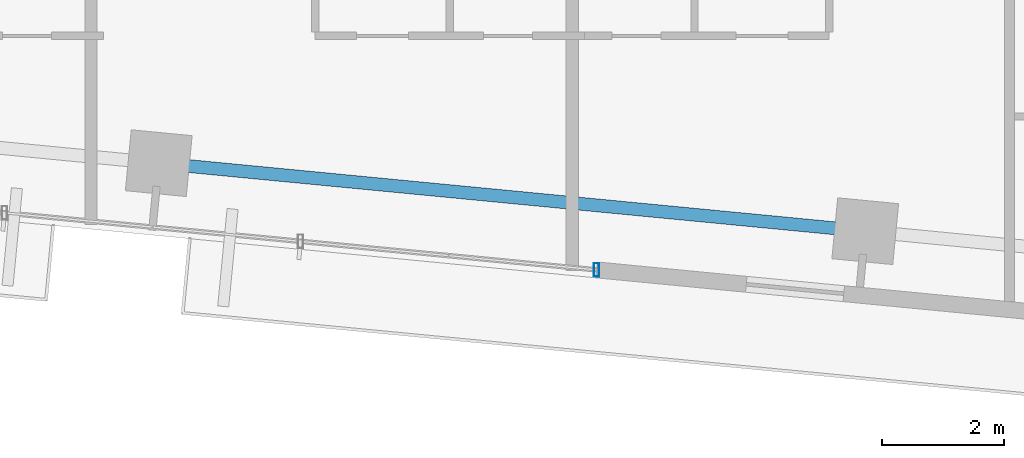
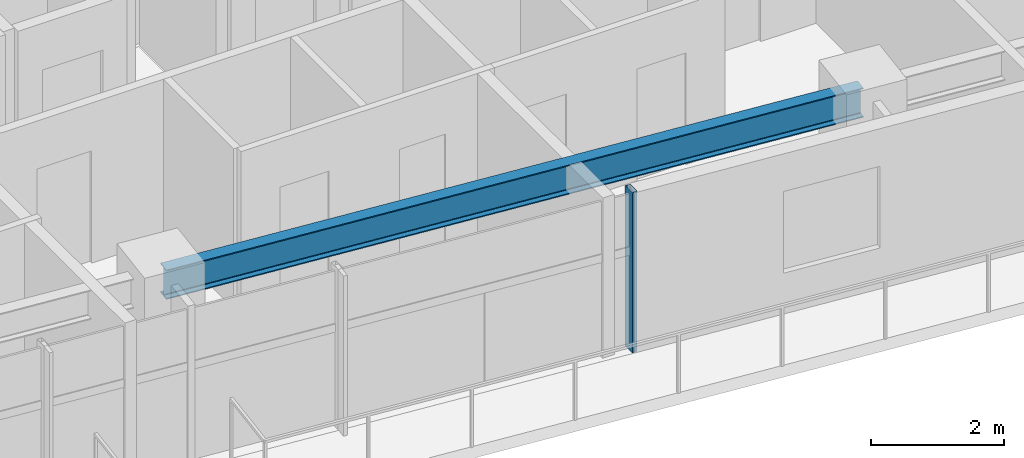
# One storey, part 9 of 20: 1 beam, 1 member, 1 element without a shape of its own.
"""IFC4 building model written with IfcOpenShell, lengths in metres."""

from ifc_helpers import new_model, si_unit, direction, frame, origin, origin_2d, place, context, subcontext, project, spatial, hollow_rectangle, i_section, extrude, source, transform, mapped, material, material_profile, profile_set, type_object, type_shapes, element, aggregate, save


model = new_model("IFC4")

# Units and contexts
model_context = context("Model", 3, precision=1e-05, world=origin(), true_north=direction((0.0, 1.0)))
body_context = subcontext(model_context, "Body", "Model", "MODEL_VIEW")
ifc_project = project(units=[si_unit("LENGTHUNIT", "METRE"), si_unit("AREAUNIT", "SQUARE_METRE"), si_unit("VOLUMEUNIT", "CUBIC_METRE"), si_unit("PLANEANGLEUNIT", "RADIAN"), si_unit("MASSUNIT", "GRAM", prefix="KILO")], contexts=[model_context])

# Site, building, storey
site_placement = place(None, origin())
site = spatial("IfcSite", under=ifc_project, at=site_placement, CompositionType="ELEMENT")
building_placement = place(site_placement, origin())
building = spatial("IfcBuilding", under=site, at=building_placement, Name="Astriad Promenade Condominiums", CompositionType="ELEMENT")
storey_placement = place(building_placement, frame((0.0, 0.0, 153.39990234375)))
storey = spatial("IfcBuildingStorey", under=building, at=storey_placement, Name="L44", CompositionType="ELEMENT", Elevation=153.39990234375)

# Beam
ifc_material_1 = material(Name="Steel ASTM A992 Grade 50", Category="steel")
ifc_material_profile_1 = material_profile(ifc_material_1, i_section(OverallWidth=0.210693359375, OverallDepth=0.53955078125, WebThickness=0.01171875, FlangeThickness=0.018798828125, FilletRadius=0.0166015625, at=origin_2d()), Name="W21X73")
ifc_profile_set_1 = profile_set([ifc_material_profile_1], Name="Steel ASTM A992 Grade 50")
beam_type = type_object("IfcBeamType", Name="STEEL SPANDREL BEAM W21X73", PredefinedType="SPANDREL", material=ifc_profile_set_1)
shared_shape_1 = source(origin(), body_context, "Body", "SweptSolid", [
    extrude(i_section(OverallWidth=0.210693359375, OverallDepth=0.53955078125, WebThickness=0.01171875, FlangeThickness=0.018798828125, FilletRadius=0.0166015625, at=origin_2d()), origin(), (0.0, 0.0, 1.0), 11.52001953125),
])
type_shapes(beam_type, [shared_shape_1])
beam_placement = place(storey_placement, frame((32.013671875, 8.2158203125, 2.67041015625), z_axis=(0.995397412028, -0.095833147335, 0.0), x_axis=(0.095833147335, 0.995397412028, 0.0)))
element("IfcBeam", 1, at=beam_placement, inside=storey, type_object=beam_type, Name="Perimeter Spandrel Beam SP-S3-L44", PredefinedType="SPANDREL", context=body_context, shape_type="MappedRepresentation", body=[
    mapped(shared_shape_1, transform((0.0, 0.0, 0.0), scale=1.0)),
])

# Curtain wall, member
ifc_material_2 = material(Name="Anodised aluminium Black Dark Glass Unitised", Category="aluminium")
curtain_wall_type = type_object("IfcCurtainWallType", Name="CW-B34-DARK", PredefinedType="USERDEFINED", material=ifc_material_2)
curtain_wall_placement = place(storey_placement, origin())
curtain_wall = element("IfcCurtainWall", 2, at=curtain_wall_placement, inside=storey, type_object=curtain_wall_type, Name="CW-L44-S", ObjectType="UNITISED_CURTAIN_WALL", PredefinedType="USERDEFINED")
ifc_material_3 = material(Name="Anodised aluminium 6063-T6 Black", Category="aluminium")
ifc_material_profile_2 = material_profile(ifc_material_3, hollow_rectangle(XDim=0.0849609375, YDim=0.219970703125, WallThickness=0.0048828125, at=origin_2d()), Name="ALU-MUL-85X220")
ifc_profile_set_2 = profile_set([ifc_material_profile_2], Name="Anodised aluminium 6063-T6 Black")
member_type = type_object("IfcMemberType", Name="MUL-ALU-MUL-85X220", PredefinedType="MULLION", material=ifc_profile_set_2)
shared_shape_2 = source(origin(), body_context, "Body", "SweptSolid", [
    extrude(hollow_rectangle(XDim=0.0849609375, YDim=0.219970703125, WallThickness=0.0048828125, at=origin_2d()), origin(), (0.0, 0.0, 1.0), 2.940185546875),
])
type_shapes(member_type, [shared_shape_2])
member_placement = place(storey_placement, frame((39.129638671875, 6.475830078125, 0.0), z_axis=(0.0, 0.0, 1.0), x_axis=(1.0, 0.0, 0.0)))
member = element("IfcMember", 3, at=member_placement, type_object=member_type, Name="CW-L44-S-MUL-00", PredefinedType="MULLION", context=body_context, shape_type="MappedRepresentation", body=[
    mapped(shared_shape_2, transform((0.0, 0.0, 0.0), scale=1.0)),
])
aggregate(curtain_wall, [member])

save(model, "model.ifc")
